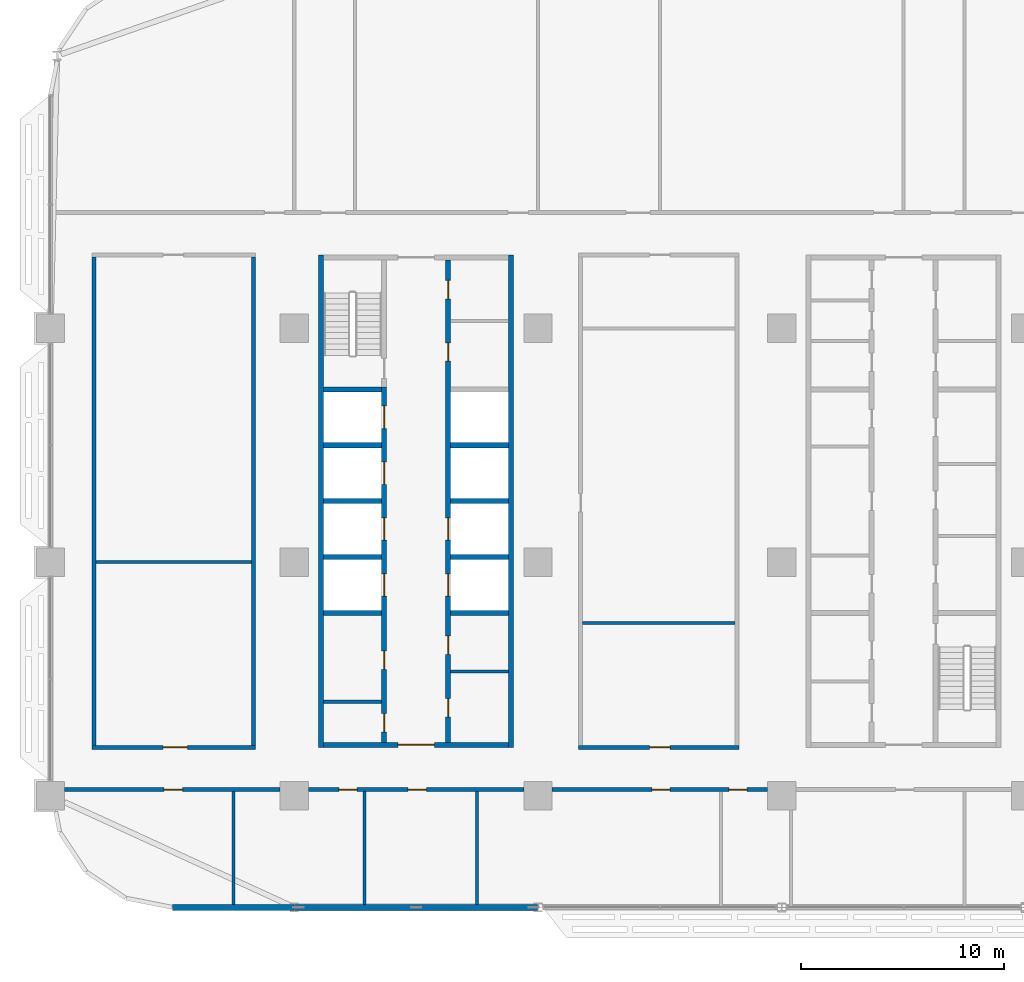
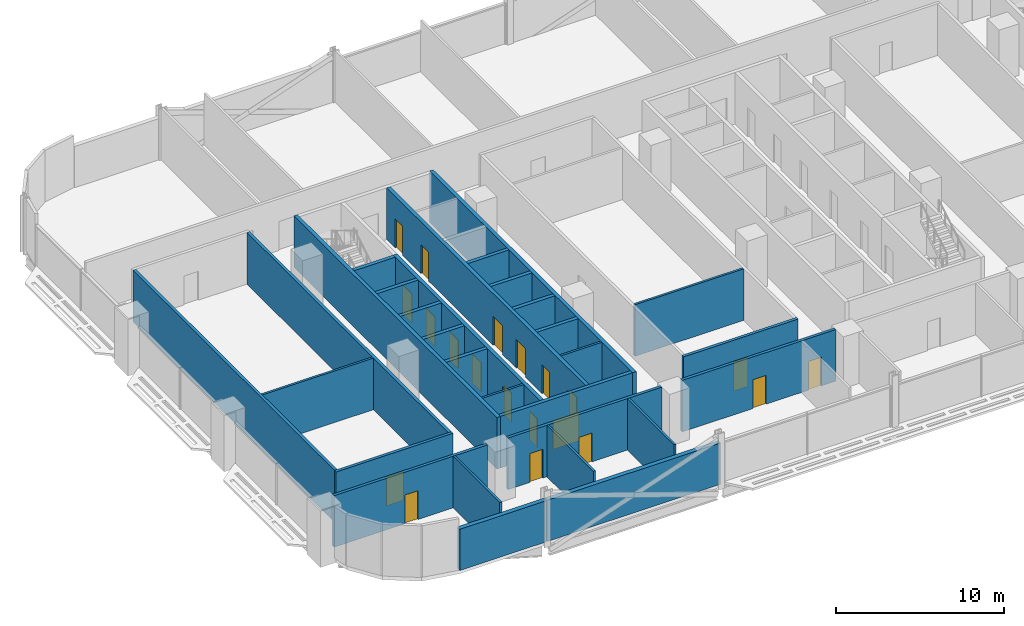
# One storey, part 12 of 29: 30 walls, 20 doors, 20 openings.
"""IFC4 building model written with IfcOpenShell, lengths in metres."""

from ifc_helpers import new_model, si_unit, direction, frame, frame_2d, origin, place, context, subcontext, project, spatial, rectangle, extrude, material, layer, layer_set, type_object, element, fill, save


model = new_model("IFC4")

# Units and contexts
model_context = context("Model", 3, precision=1e-05, world=origin(), true_north=direction((0.0, 1.0)))
body_context = subcontext(model_context, "Body", "Model", "MODEL_VIEW")
ifc_project = project(units=[si_unit("LENGTHUNIT", "METRE"), si_unit("AREAUNIT", "SQUARE_METRE"), si_unit("VOLUMEUNIT", "CUBIC_METRE"), si_unit("PLANEANGLEUNIT", "RADIAN"), si_unit("MASSUNIT", "GRAM", prefix="KILO")], contexts=[model_context])

# Site, building, storey
site_placement = place(None, origin())
site = spatial("IfcSite", under=ifc_project, at=site_placement, CompositionType="ELEMENT")
building_placement = place(site_placement, origin())
building = spatial("IfcBuilding", under=site, at=building_placement, Name="Mahtab Terrace Research Tower", CompositionType="ELEMENT")
storey_placement = place(building_placement, frame((0.0, 0.0, 88.89990234375)))
storey = spatial("IfcBuildingStorey", under=building, at=storey_placement, Name="L20", CompositionType="ELEMENT", Elevation=88.89990234375)

# Walls
ifc_material_1 = material(Name="Gypsum board partition")
ifc_layer_1 = layer(ifc_material_1, 0.14990234375)
ifc_layer_set_1 = layer_set([ifc_layer_1], Name="Core partition 150")
wall_type_1 = type_object("IfcWallType", Name="Core partition 150", PredefinedType="PARTITIONING", material=ifc_layer_set_1)
for number, where, z_axis, x_axis, name in (
    (1, (-28.550048828125, -6.875, 0.0), (0.0, 0.0, 1.0), (1.0, 0.0, 0.0), "Core wall A pWS-988"),
    (2, (-22.300048828125, -5.39501953125, 0.0), (0.0, 0.0, 1.0), (1.0, 0.0, 0.0), "Core wall A pES-840"),
):
    element("IfcWall", number, at=place(storey_placement, frame(where, z_axis=z_axis, x_axis=x_axis)), inside=storey, type_object=wall_type_1, Name=name, PredefinedType="PARTITIONING", context=body_context, shape_type="SweptSolid", body=[
        extrude(rectangle(XDim=2.85009765625, YDim=0.14990234375, at=frame_2d((1.425048828125, 0.0))), origin(), (0.0, 0.0, 1.0), 3.760009765625),
    ])
ifc_material_2 = material(Name="Concrete C70/85", Category="concrete")
ifc_layer_2 = layer(ifc_material_2, 0.25)
ifc_layer_set_2 = layer_set([ifc_layer_2], Name="Core wall 250")
wall_type_2 = type_object("IfcWallType", Name="Core wall 250", PredefinedType="SOLIDWALL", material=ifc_layer_set_2)
for number, where, z_axis, x_axis, name in (
    (3, (-28.675048828125, 15.125, 0.0), (0.0, 0.0, 1.0), (0.0, -1.0, 0.0), "Core wall A outerW"),
    (4, (-19.324951171875, -9.125, 0.0), (0.0, 0.0, 1.0), (0.0, 1.0, 0.0), "Core wall A outerE"),
):
    element("IfcWall", number, at=place(storey_placement, frame(where, z_axis=z_axis, x_axis=x_axis)), inside=storey, type_object=wall_type_2, Name=name, PredefinedType="SOLIDWALL", context=body_context, shape_type="SweptSolid", body=[
        extrude(rectangle(XDim=24.25, YDim=0.25, at=frame_2d((12.125, 0.0))), origin(), (0.0, 0.0, 1.0), 3.760009765625),
    ])

# Wall, opening, door
wall_1_placement = place(storey_placement, frame((-19.449951171875, -9.0, 0.0), z_axis=(0.0, 0.0, 1.0), x_axis=(-1.0, 0.0, 0.0)))
wall_1 = element("IfcWall", 5, at=wall_1_placement, inside=storey, type_object=wall_type_2, Name="Core wall A endS", PredefinedType="SOLIDWALL", context=body_context, shape_type="SweptSolid", body=[
    extrude(rectangle(XDim=9.10009765625, YDim=0.25, at=frame_2d((4.550048828125, 0.0))), origin(), (0.0, 0.0, 1.0), 3.760009765625),
])
opening_1_placement = place(wall_1_placement, frame((3.64990234375, 0.0, 0.0)))
opening_1 = element("IfcOpeningElement", 6, at=opening_1_placement, cuts=wall_1, Name="Opening A-S1", PredefinedType="OPENING", context=body_context, shape_type="SweptSolid", body=[
    extrude(rectangle(XDim=1.800048828125, YDim=2.10009765625, at=frame_2d((0.89990234375, 1.050048828125))), frame((0.0, 0.135009765625, 0.0), z_axis=(0.0, -1.0, 0.0), x_axis=(1.0, 0.0, 0.0)), (0.0, 0.0, 1.0), 0.27001953125),
])
ifc_material_3 = material(Name="Steel fire door", Category="steel")
door_type_1 = type_object("IfcDoorType", Name="Lobby double door 1800x2100 1 HR", OperationType="DOUBLE_DOOR_SINGLE_SWING", PredefinedType="DOOR", material=ifc_material_3)
door_1_placement = place(opening_1_placement, origin())
door_1 = element("IfcDoor", 7, at=door_1_placement, inside=storey, type_object=door_type_1, Name="Core entrance door A S", OperationType="DOUBLE_DOOR_SINGLE_SWING", OverallHeight=2.10009765625, OverallWidth=1.800048828125, PredefinedType="DOOR", context=body_context, shape_type="SweptSolid", body=[
    extrude(rectangle(XDim=1.800048828125, YDim=2.10009765625, at=frame_2d((0.89990234375, 1.050048828125))), frame((0.0, 0.02490234375, 0.0), z_axis=(0.0, -1.0, 0.0), x_axis=(1.0, 0.0, 0.0)), (0.0, 0.0, 1.0), 0.050048828125),
])
fill(opening_1, door_1)

# Wall, openings, doors
wall_2_placement = place(storey_placement, frame((-25.574951171875, -8.875, 0.0), z_axis=(0.0, 0.0, 1.0), x_axis=(0.0, 1.0, 0.0)))
wall_2 = element("IfcWall", 8, at=wall_2_placement, inside=storey, type_object=wall_type_2, Name="Core wall A innerWSL", PredefinedType="SOLIDWALL", context=body_context, shape_type="SweptSolid", body=[
    extrude(rectangle(XDim=17.5, YDim=0.25, at=frame_2d((8.75, 0.0))), origin(), (0.0, 0.0, 1.0), 3.760009765625),
])
opening_2_placement = place(wall_2_placement, frame((7.199951171875, 0.0, 0.0)))
opening_2 = element("IfcOpeningElement", 9, at=opening_2_placement, cuts=wall_2, Name="Opening LD01-L20", PredefinedType="OPENING", context=body_context, shape_type="SweptSolid", body=[
    extrude(rectangle(XDim=1.10009765625, YDim=2.10009765625, at=frame_2d((0.550048828125, 1.050048828125))), frame((0.0, 0.135009765625, 0.0), z_axis=(0.0, -1.0, 0.0), x_axis=(1.0, 0.0, 0.0)), (0.0, 0.0, 1.0), 0.27001953125),
])
opening_3_placement = place(wall_2_placement, frame((9.949951171875, 0.0, 0.0)))
opening_3 = element("IfcOpeningElement", 10, at=opening_3_placement, cuts=wall_2, Name="Opening LD02-L20", PredefinedType="OPENING", context=body_context, shape_type="SweptSolid", body=[
    extrude(rectangle(XDim=1.10009765625, YDim=2.10009765625, at=frame_2d((0.550048828125, 1.050048828125))), frame((0.0, 0.135009765625, 0.0), z_axis=(0.0, -1.0, 0.0), x_axis=(1.0, 0.0, 0.0)), (0.0, 0.0, 1.0), 0.27001953125),
])
opening_4_placement = place(wall_2_placement, frame((12.699951171875, 0.0, 0.0)))
opening_4 = element("IfcOpeningElement", 11, at=opening_4_placement, cuts=wall_2, Name="Opening LD03-L20", PredefinedType="OPENING", context=body_context, shape_type="SweptSolid", body=[
    extrude(rectangle(XDim=1.10009765625, YDim=2.10009765625, at=frame_2d((0.550048828125, 1.050048828125))), frame((0.0, 0.135009765625, 0.0), z_axis=(0.0, -1.0, 0.0), x_axis=(1.0, 0.0, 0.0)), (0.0, 0.0, 1.0), 0.27001953125),
])
opening_5_placement = place(wall_2_placement, frame((15.449951171875, 0.0, 0.0)))
opening_5 = element("IfcOpeningElement", 12, at=opening_5_placement, cuts=wall_2, Name="Opening LD04-L20", PredefinedType="OPENING", context=body_context, shape_type="SweptSolid", body=[
    extrude(rectangle(XDim=1.10009765625, YDim=2.10009765625, at=frame_2d((0.550048828125, 1.050048828125))), frame((0.0, 0.135009765625, 0.0), z_axis=(0.0, -1.0, 0.0), x_axis=(1.0, 0.0, 0.0)), (0.0, 0.0, 1.0), 0.27001953125),
])
opening_6_placement = place(wall_2_placement, frame((0.512451171875, 0.0, 0.0)))
opening_6 = element("IfcOpeningElement", 13, at=opening_6_placement, cuts=wall_2, Name="Opening A-R1", PredefinedType="OPENING", context=body_context, shape_type="SweptSolid", body=[
    extrude(rectangle(XDim=0.89990234375, YDim=2.10009765625, at=frame_2d((0.449951171875, 1.050048828125))), frame((0.0, 0.135009765625, 0.0), z_axis=(0.0, -1.0, 0.0), x_axis=(1.0, 0.0, 0.0)), (0.0, 0.0, 1.0), 0.27001953125),
])
opening_7_placement = place(wall_2_placement, frame((3.58740234375, 0.0, 0.0)))
opening_7 = element("IfcOpeningElement", 14, at=opening_7_placement, cuts=wall_2, Name="Opening A-R2", PredefinedType="OPENING", context=body_context, shape_type="SweptSolid", body=[
    extrude(rectangle(XDim=0.89990234375, YDim=2.10009765625, at=frame_2d((0.449951171875, 1.050048828125))), frame((0.0, 0.135009765625, 0.0), z_axis=(0.0, -1.0, 0.0), x_axis=(1.0, 0.0, 0.0)), (0.0, 0.0, 1.0), 0.27001953125),
])
ifc_material_4 = material(Name="Stainless steel AISI 304", Category="steel")
door_type_2 = type_object("IfcDoorType", Name="Landing door 1100x2100", OperationType="DOUBLE_DOOR_SLIDING", PredefinedType="DOOR", material=ifc_material_4)
door_2_placement = place(opening_2_placement, origin())
door_2 = element("IfcDoor", 15, at=door_2_placement, inside=storey, type_object=door_type_2, Name="Landing door LR1 L20", OperationType="DOUBLE_DOOR_SLIDING", OverallHeight=2.10009765625, OverallWidth=1.10009765625, PredefinedType="DOOR", context=body_context, shape_type="SweptSolid", body=[
    extrude(rectangle(XDim=1.10009765625, YDim=2.10009765625, at=frame_2d((0.550048828125, 1.050048828125))), frame((0.0, 0.02490234375, 0.0), z_axis=(0.0, -1.0, 0.0), x_axis=(1.0, 0.0, 0.0)), (0.0, 0.0, 1.0), 0.050048828125),
])
fill(opening_2, door_2)
door_3_placement = place(opening_3_placement, origin())
door_3 = element("IfcDoor", 16, at=door_3_placement, inside=storey, type_object=door_type_2, Name="Landing door LR2 L20", OperationType="DOUBLE_DOOR_SLIDING", OverallHeight=2.10009765625, OverallWidth=1.10009765625, PredefinedType="DOOR", context=body_context, shape_type="SweptSolid", body=[
    extrude(rectangle(XDim=1.10009765625, YDim=2.10009765625, at=frame_2d((0.550048828125, 1.050048828125))), frame((0.0, 0.02490234375, 0.0), z_axis=(0.0, -1.0, 0.0), x_axis=(1.0, 0.0, 0.0)), (0.0, 0.0, 1.0), 0.050048828125),
])
fill(opening_3, door_3)
door_4_placement = place(opening_4_placement, origin())
door_4 = element("IfcDoor", 17, at=door_4_placement, inside=storey, type_object=door_type_2, Name="Landing door LR3 L20", OperationType="DOUBLE_DOOR_SLIDING", OverallHeight=2.10009765625, OverallWidth=1.10009765625, PredefinedType="DOOR", context=body_context, shape_type="SweptSolid", body=[
    extrude(rectangle(XDim=1.10009765625, YDim=2.10009765625, at=frame_2d((0.550048828125, 1.050048828125))), frame((0.0, 0.02490234375, 0.0), z_axis=(0.0, -1.0, 0.0), x_axis=(1.0, 0.0, 0.0)), (0.0, 0.0, 1.0), 0.050048828125),
])
fill(opening_4, door_4)
door_5_placement = place(opening_5_placement, origin())
door_5 = element("IfcDoor", 18, at=door_5_placement, inside=storey, type_object=door_type_2, Name="Landing door LR4 L20", OperationType="DOUBLE_DOOR_SLIDING", OverallHeight=2.10009765625, OverallWidth=1.10009765625, PredefinedType="DOOR", context=body_context, shape_type="SweptSolid", body=[
    extrude(rectangle(XDim=1.10009765625, YDim=2.10009765625, at=frame_2d((0.550048828125, 1.050048828125))), frame((0.0, 0.02490234375, 0.0), z_axis=(0.0, -1.0, 0.0), x_axis=(1.0, 0.0, 0.0)), (0.0, 0.0, 1.0), 0.050048828125),
])
fill(opening_5, door_5)
door_type_3 = type_object("IfcDoorType", Name="Room door 900x2100 1 HR", OperationType="NOTDEFINED", PredefinedType="DOOR", material=ifc_material_3)
door_6_placement = place(opening_6_placement, origin())
door_6 = element("IfcDoor", 19, at=door_6_placement, inside=storey, type_object=door_type_3, Name="Accessible WC door", OperationType="SINGLE_SWING_LEFT", OverallHeight=2.10009765625, OverallWidth=0.89990234375, PredefinedType="DOOR", context=body_context, shape_type="SweptSolid", body=[
    extrude(rectangle(XDim=0.89990234375, YDim=2.10009765625, at=frame_2d((0.449951171875, 1.050048828125))), frame((0.0, 0.02490234375, 0.0), z_axis=(0.0, -1.0, 0.0), x_axis=(1.0, 0.0, 0.0)), (0.0, 0.0, 1.0), 0.050048828125),
])
fill(opening_6, door_6)
door_7_placement = place(opening_7_placement, origin())
door_7 = element("IfcDoor", 20, at=door_7_placement, inside=storey, type_object=door_type_3, Name="WC block door", OperationType="SINGLE_SWING_RIGHT", OverallHeight=2.10009765625, OverallWidth=0.89990234375, PredefinedType="DOOR", context=body_context, shape_type="SweptSolid", body=[
    extrude(rectangle(XDim=0.89990234375, YDim=2.10009765625, at=frame_2d((0.449951171875, 1.050048828125))), frame((0.0, 0.02490234375, 0.0), z_axis=(0.0, -1.0, 0.0), x_axis=(1.0, 0.0, 0.0)), (0.0, 0.0, 1.0), 0.050048828125),
])
fill(opening_7, door_7)

wall_3_placement = place(storey_placement, frame((-22.425048828125, 14.875, 0.0), z_axis=(0.0, 0.0, 1.0), x_axis=(0.0, -1.0, 0.0)))
wall_3 = element("IfcWall", 21, at=wall_3_placement, inside=storey, type_object=wall_type_2, Name="Core wall A innerESLN", PredefinedType="SOLIDWALL", context=body_context, shape_type="SweptSolid", body=[
    extrude(rectangle(XDim=23.75, YDim=0.25, at=frame_2d((11.875, 0.0))), origin(), (0.0, 0.0, 1.0), 3.760009765625),
])
opening_8_placement = place(wall_3_placement, frame((15.449951171875, 0.0, 0.0)))
opening_8 = element("IfcOpeningElement", 22, at=opening_8_placement, cuts=wall_3, Name="Opening LD05-L20", PredefinedType="OPENING", context=body_context, shape_type="SweptSolid", body=[
    extrude(rectangle(XDim=1.10009765625, YDim=2.10009765625, at=frame_2d((0.550048828125, 1.050048828125))), frame((0.0, 0.135009765625, 0.0), z_axis=(0.0, -1.0, 0.0), x_axis=(1.0, 0.0, 0.0)), (0.0, 0.0, 1.0), 0.27001953125),
])
opening_9_placement = place(wall_3_placement, frame((12.699951171875, 0.0, 0.0)))
opening_9 = element("IfcOpeningElement", 23, at=opening_9_placement, cuts=wall_3, Name="Opening LD06-L20", PredefinedType="OPENING", context=body_context, shape_type="SweptSolid", body=[
    extrude(rectangle(XDim=1.10009765625, YDim=2.10009765625, at=frame_2d((0.550048828125, 1.050048828125))), frame((0.0, 0.135009765625, 0.0), z_axis=(0.0, -1.0, 0.0), x_axis=(1.0, 0.0, 0.0)), (0.0, 0.0, 1.0), 0.27001953125),
])
opening_10_placement = place(wall_3_placement, frame((21.597412109375, 0.0, 0.0)))
opening_10 = element("IfcOpeningElement", 24, at=opening_10_placement, cuts=wall_3, Name="Opening A-R3", PredefinedType="OPENING", context=body_context, shape_type="SweptSolid", body=[
    extrude(rectangle(XDim=0.89990234375, YDim=2.10009765625, at=frame_2d((0.449951171875, 1.050048828125))), frame((0.0, 0.135009765625, 0.0), z_axis=(0.0, -1.0, 0.0), x_axis=(1.0, 0.0, 0.0)), (0.0, 0.0, 1.0), 0.27001953125),
])
opening_11_placement = place(wall_3_placement, frame((18.5224609375, 0.0, 0.0)))
opening_11 = element("IfcOpeningElement", 25, at=opening_11_placement, cuts=wall_3, Name="Opening A-R4", PredefinedType="OPENING", context=body_context, shape_type="SweptSolid", body=[
    extrude(rectangle(XDim=0.89990234375, YDim=2.10009765625, at=frame_2d((0.449951171875, 1.050048828125))), frame((0.0, 0.135009765625, 0.0), z_axis=(0.0, -1.0, 0.0), x_axis=(1.0, 0.0, 0.0)), (0.0, 0.0, 1.0), 0.27001953125),
])
opening_12_placement = place(wall_3_placement, frame((4.08740234375, 0.0, 0.0)))
opening_12 = element("IfcOpeningElement", 26, at=opening_12_placement, cuts=wall_3, Name="Opening A-R5", PredefinedType="OPENING", context=body_context, shape_type="SweptSolid", body=[
    extrude(rectangle(XDim=0.89990234375, YDim=2.10009765625, at=frame_2d((0.449951171875, 1.050048828125))), frame((0.0, 0.135009765625, 0.0), z_axis=(0.0, -1.0, 0.0), x_axis=(1.0, 0.0, 0.0)), (0.0, 0.0, 1.0), 0.27001953125),
])
opening_13_placement = place(wall_3_placement, frame((1.012451171875, 0.0, 0.0)))
opening_13 = element("IfcOpeningElement", 27, at=opening_13_placement, cuts=wall_3, Name="Opening A-R6", PredefinedType="OPENING", context=body_context, shape_type="SweptSolid", body=[
    extrude(rectangle(XDim=0.89990234375, YDim=2.10009765625, at=frame_2d((0.449951171875, 1.050048828125))), frame((0.0, 0.135009765625, 0.0), z_axis=(0.0, -1.0, 0.0), x_axis=(1.0, 0.0, 0.0)), (0.0, 0.0, 1.0), 0.27001953125),
])
door_8_placement = place(opening_8_placement, origin())
door_8 = element("IfcDoor", 28, at=door_8_placement, inside=storey, type_object=door_type_2, Name="Landing door LR5 L20", OperationType="DOUBLE_DOOR_SLIDING", OverallHeight=2.10009765625, OverallWidth=1.10009765625, PredefinedType="DOOR", context=body_context, shape_type="SweptSolid", body=[
    extrude(rectangle(XDim=1.10009765625, YDim=2.10009765625, at=frame_2d((0.550048828125, 1.050048828125))), frame((0.0, 0.02490234375, 0.0), z_axis=(0.0, -1.0, 0.0), x_axis=(1.0, 0.0, 0.0)), (0.0, 0.0, 1.0), 0.050048828125),
])
fill(opening_8, door_8)
door_9_placement = place(opening_9_placement, origin())
door_9 = element("IfcDoor", 29, at=door_9_placement, inside=storey, type_object=door_type_2, Name="Landing door LR6 L20", OperationType="DOUBLE_DOOR_SLIDING", OverallHeight=2.10009765625, OverallWidth=1.10009765625, PredefinedType="DOOR", context=body_context, shape_type="SweptSolid", body=[
    extrude(rectangle(XDim=1.10009765625, YDim=2.10009765625, at=frame_2d((0.550048828125, 1.050048828125))), frame((0.0, 0.02490234375, 0.0), z_axis=(0.0, -1.0, 0.0), x_axis=(1.0, 0.0, 0.0)), (0.0, 0.0, 1.0), 0.050048828125),
])
fill(opening_9, door_9)
door_10_placement = place(opening_10_placement, origin())
door_10 = element("IfcDoor", 30, at=door_10_placement, inside=storey, type_object=door_type_3, Name="Pantry door", OperationType="SINGLE_SWING_LEFT", OverallHeight=2.10009765625, OverallWidth=0.89990234375, PredefinedType="DOOR", context=body_context, shape_type="SweptSolid", body=[
    extrude(rectangle(XDim=0.89990234375, YDim=2.10009765625, at=frame_2d((0.449951171875, 1.050048828125))), frame((0.0, 0.02490234375, 0.0), z_axis=(0.0, -1.0, 0.0), x_axis=(1.0, 0.0, 0.0)), (0.0, 0.0, 1.0), 0.050048828125),
])
fill(opening_10, door_10)
door_11_placement = place(opening_11_placement, origin())
door_11 = element("IfcDoor", 31, at=door_11_placement, inside=storey, type_object=door_type_3, Name="Linen store door", OperationType="SINGLE_SWING_RIGHT", OverallHeight=2.10009765625, OverallWidth=0.89990234375, PredefinedType="DOOR", context=body_context, shape_type="SweptSolid", body=[
    extrude(rectangle(XDim=0.89990234375, YDim=2.10009765625, at=frame_2d((0.449951171875, 1.050048828125))), frame((0.0, 0.02490234375, 0.0), z_axis=(0.0, -1.0, 0.0), x_axis=(1.0, 0.0, 0.0)), (0.0, 0.0, 1.0), 0.050048828125),
])
fill(opening_11, door_11)
door_12_placement = place(opening_12_placement, origin())
door_12 = element("IfcDoor", 32, at=door_12_placement, inside=storey, type_object=door_type_3, Name="Housekeeping store door", OperationType="SINGLE_SWING_LEFT", OverallHeight=2.10009765625, OverallWidth=0.89990234375, PredefinedType="DOOR", context=body_context, shape_type="SweptSolid", body=[
    extrude(rectangle(XDim=0.89990234375, YDim=2.10009765625, at=frame_2d((0.449951171875, 1.050048828125))), frame((0.0, 0.02490234375, 0.0), z_axis=(0.0, -1.0, 0.0), x_axis=(1.0, 0.0, 0.0)), (0.0, 0.0, 1.0), 0.050048828125),
])
fill(opening_12, door_12)
door_13_placement = place(opening_13_placement, origin())
door_13 = element("IfcDoor", 33, at=door_13_placement, inside=storey, type_object=door_type_3, Name="Electrical riser room door", OperationType="SINGLE_SWING_RIGHT", OverallHeight=2.10009765625, OverallWidth=0.89990234375, PredefinedType="DOOR", context=body_context, shape_type="SweptSolid", body=[
    extrude(rectangle(XDim=0.89990234375, YDim=2.10009765625, at=frame_2d((0.449951171875, 1.050048828125))), frame((0.0, 0.02490234375, 0.0), z_axis=(0.0, -1.0, 0.0), x_axis=(1.0, 0.0, 0.0)), (0.0, 0.0, 1.0), 0.050048828125),
])
fill(opening_13, door_13)

# Walls
for number, where, z_axis, x_axis, name in (
    (34, (-28.550048828125, -2.5, 0.0), (0.0, 0.0, 1.0), (1.0, 0.0, 0.0), "Core wall A divW0"),
    (35, (-28.550048828125, 0.25, 0.0), (0.0, 0.0, 1.0), (1.0, 0.0, 0.0), "Core wall A divW1"),
    (36, (-28.550048828125, 3.0, 0.0), (0.0, 0.0, 1.0), (1.0, 0.0, 0.0), "Core wall A divW2"),
    (37, (-28.550048828125, 5.75, 0.0), (0.0, 0.0, 1.0), (1.0, 0.0, 0.0), "Core wall A divW3"),
    (38, (-28.550048828125, 8.5, 0.0), (0.0, 0.0, 1.0), (1.0, 0.0, 0.0), "Core wall A divW4"),
    (39, (-22.300048828125, -2.5, 0.0), (0.0, 0.0, 1.0), (1.0, 0.0, 0.0), "Core wall A divE0"),
    (40, (-22.300048828125, 0.25, 0.0), (0.0, 0.0, 1.0), (1.0, 0.0, 0.0), "Core wall A divE1"),
    (41, (-22.300048828125, 3.0, 0.0), (0.0, 0.0, 1.0), (1.0, 0.0, 0.0), "Core wall A divE2"),
    (42, (-22.300048828125, 5.75, 0.0), (0.0, 0.0, 1.0), (1.0, 0.0, 0.0), "Core wall A divE3"),
):
    element("IfcWall", number, at=place(storey_placement, frame(where, z_axis=z_axis, x_axis=x_axis)), inside=storey, type_object=wall_type_2, Name=name, PredefinedType="SOLIDWALL", context=body_context, shape_type="SweptSolid", body=[
        extrude(rectangle(XDim=2.85009765625, YDim=0.25, at=frame_2d((1.425048828125, 0.0))), origin(), (0.0, 0.0, 1.0), 3.760009765625),
    ])
ifc_material_5 = material(Name="Black aluminium cladding panel", Category="aluminium")
ifc_layer_3 = layer(ifc_material_5, 0.300048828125)
ifc_layer_set_3 = layer_set([ifc_layer_3], Name="Opaque facade wall 300")
wall_type_3 = type_object("IfcWallType", Name="Opaque facade wall 300", PredefinedType="NOTDEFINED", material=ifc_layer_set_3)
wall_4_placement = place(storey_placement, frame((-36.0, -17.0, 0.0), z_axis=(0.0, 0.0, 1.0), x_axis=(1.0, 0.0, 0.0)))
element("IfcWall", 43, at=wall_4_placement, inside=storey, type_object=wall_type_3, Name="Opaque facade wall L20 S23", PredefinedType="NOTDEFINED", context=body_context, shape_type="SweptSolid", body=[
    extrude(rectangle(XDim=5.97900390625, YDim=0.300048828125, at=frame_2d((2.989501953125, 0.0))), origin(), (0.0, 0.0, 1.0), 3.003173828125),
])
wall_5_placement = place(storey_placement, frame((-29.97900390625, -17.0, 0.0), z_axis=(0.0, 0.0, 1.0), x_axis=(1.0, 0.0, 0.0)))
element("IfcWall", 44, at=wall_5_placement, inside=storey, type_object=wall_type_3, Name="Opaque facade wall L20 S24", PredefinedType="NOTDEFINED", context=body_context, shape_type="SweptSolid", body=[
    extrude(rectangle(XDim=11.9580078125, YDim=0.300048828125, at=frame_2d((5.97900390625, 0.0))), origin(), (0.0, 0.0, 1.0), 3.003173828125),
])

# Wall, opening, door
ifc_material_6 = material(Name="Gypsum board corridor wall on steel studs", Category="steel")
ifc_layer_4 = layer(ifc_material_6, 0.199951171875)
ifc_layer_set_4 = layer_set([ifc_layer_4], Name="WALL CORRIDOR 200")
wall_type_4 = type_object("IfcWallType", Name="WALL CORRIDOR 200", PredefinedType="PARTITIONING", material=ifc_layer_set_4)
wall_6_placement = place(storey_placement, frame((-41.300048828125, -11.199951171875, 0.0), z_axis=(0.0, 0.0, 1.0), x_axis=(1.0, 0.0, 0.0)))
wall_6 = element("IfcWall", 45, at=wall_6_placement, inside=storey, type_object=wall_type_4, Name="L20-W001", PredefinedType="PARTITIONING", context=body_context, shape_type="SweptSolid", body=[
    extrude(rectangle(XDim=10.60009765625, YDim=0.199951171875, at=frame_2d((5.300048828125, 0.0))), origin(), (0.0, 0.0, 1.0), 3.760009765625),
])
opening_14_placement = place(wall_6_placement, frame((4.89990234375, 0.0, 0.0)))
opening_14 = element("IfcOpeningElement", 46, at=opening_14_placement, cuts=wall_6, Name="Opening L20-101", PredefinedType="OPENING", context=body_context, shape_type="SweptSolid", body=[
    extrude(rectangle(XDim=0.89990234375, YDim=2.10009765625, at=frame_2d((0.449951171875, 1.050048828125))), frame((0.0, 0.10986328125, 0.0), z_axis=(0.0, -1.0, 0.0), x_axis=(1.0, 0.0, 0.0)), (0.0, 0.0, 1.0), 0.219970703125),
])
ifc_material_7 = material(Name="Timber door leaf in steel frame", Category="steel")
door_type_4 = type_object("IfcDoorType", Name="DOOR 0900X2100 FD30S", OperationType="SINGLE_SWING_LEFT", PredefinedType="DOOR", material=ifc_material_7)
door_14_placement = place(opening_14_placement, origin())
door_14 = element("IfcDoor", 47, at=door_14_placement, inside=storey, type_object=door_type_4, Name="Door L20-101", OperationType="SINGLE_SWING_LEFT", OverallHeight=2.10009765625, OverallWidth=0.89990234375, PredefinedType="DOOR", context=body_context, shape_type="SweptSolid", body=[
    extrude(rectangle(XDim=0.89990234375, YDim=2.10009765625, at=frame_2d((0.449951171875, 1.050048828125))), frame((0.0, 0.02490234375, 0.0), z_axis=(0.0, -1.0, 0.0), x_axis=(1.0, 0.0, 0.0)), (0.0, 0.0, 1.0), 0.050048828125),
])
fill(opening_14, door_14)

# Wall, openings, doors
wall_7_placement = place(storey_placement, frame((-29.300048828125, -11.199951171875, 0.0), z_axis=(0.0, 0.0, 1.0), x_axis=(1.0, 0.0, 0.0)))
wall_7 = element("IfcWall", 48, at=wall_7_placement, inside=storey, type_object=wall_type_4, Name="L20-W002", PredefinedType="PARTITIONING", context=body_context, shape_type="SweptSolid", body=[
    extrude(rectangle(XDim=10.60009765625, YDim=0.199951171875, at=frame_2d((5.300048828125, 0.0))), origin(), (0.0, 0.0, 1.0), 3.760009765625),
])
opening_15_placement = place(wall_7_placement, frame((1.5, 0.0, 0.0)))
opening_15 = element("IfcOpeningElement", 49, at=opening_15_placement, cuts=wall_7, Name="Opening L20-102", PredefinedType="OPENING", context=body_context, shape_type="SweptSolid", body=[
    extrude(rectangle(XDim=0.89990234375, YDim=2.10009765625, at=frame_2d((0.449951171875, 1.050048828125))), frame((0.0, 0.10986328125, 0.0), z_axis=(0.0, -1.0, 0.0), x_axis=(1.0, 0.0, 0.0)), (0.0, 0.0, 1.0), 0.219970703125),
])
opening_16_placement = place(wall_7_placement, frame((4.89990234375, 0.0, 0.0)))
opening_16 = element("IfcOpeningElement", 50, at=opening_16_placement, cuts=wall_7, Name="Opening L20-103", PredefinedType="OPENING", context=body_context, shape_type="SweptSolid", body=[
    extrude(rectangle(XDim=0.89990234375, YDim=2.10009765625, at=frame_2d((0.449951171875, 1.050048828125))), frame((0.0, 0.10986328125, 0.0), z_axis=(0.0, -1.0, 0.0), x_axis=(1.0, 0.0, 0.0)), (0.0, 0.0, 1.0), 0.219970703125),
])
door_15_placement = place(opening_15_placement, origin())
door_15 = element("IfcDoor", 51, at=door_15_placement, inside=storey, type_object=door_type_4, Name="Door L20-102", OperationType="SINGLE_SWING_RIGHT", OverallHeight=2.10009765625, OverallWidth=0.89990234375, PredefinedType="DOOR", context=body_context, shape_type="SweptSolid", body=[
    extrude(rectangle(XDim=0.89990234375, YDim=2.10009765625, at=frame_2d((0.449951171875, 1.050048828125))), frame((0.0, 0.02490234375, 0.0), z_axis=(0.0, -1.0, 0.0), x_axis=(1.0, 0.0, 0.0)), (0.0, 0.0, 1.0), 0.050048828125),
])
fill(opening_15, door_15)
door_16_placement = place(opening_16_placement, origin())
door_16 = element("IfcDoor", 52, at=door_16_placement, inside=storey, type_object=door_type_4, Name="Door L20-103", OperationType="SINGLE_SWING_LEFT", OverallHeight=2.10009765625, OverallWidth=0.89990234375, PredefinedType="DOOR", context=body_context, shape_type="SweptSolid", body=[
    extrude(rectangle(XDim=0.89990234375, YDim=2.10009765625, at=frame_2d((0.449951171875, 1.050048828125))), frame((0.0, 0.02490234375, 0.0), z_axis=(0.0, -1.0, 0.0), x_axis=(1.0, 0.0, 0.0)), (0.0, 0.0, 1.0), 0.050048828125),
])
fill(opening_16, door_16)

wall_8_placement = place(storey_placement, frame((-17.300048828125, -11.199951171875, 0.0), z_axis=(0.0, 0.0, 1.0), x_axis=(1.0, 0.0, 0.0)))
wall_8 = element("IfcWall", 53, at=wall_8_placement, inside=storey, type_object=wall_type_4, Name="L20-W003", PredefinedType="PARTITIONING", context=body_context, shape_type="SweptSolid", body=[
    extrude(rectangle(XDim=10.60009765625, YDim=0.199951171875, at=frame_2d((5.300048828125, 0.0))), origin(), (0.0, 0.0, 1.0), 3.760009765625),
])
opening_17_placement = place(wall_8_placement, frame((4.89990234375, 0.0, 0.0)))
opening_17 = element("IfcOpeningElement", 54, at=opening_17_placement, cuts=wall_8, Name="Opening L20-104", PredefinedType="OPENING", context=body_context, shape_type="SweptSolid", body=[
    extrude(rectangle(XDim=0.89990234375, YDim=2.10009765625, at=frame_2d((0.449951171875, 1.050048828125))), frame((0.0, 0.10986328125, 0.0), z_axis=(0.0, -1.0, 0.0), x_axis=(1.0, 0.0, 0.0)), (0.0, 0.0, 1.0), 0.219970703125),
])
opening_18_placement = place(wall_8_placement, frame((8.699951171875, 0.0, 0.0)))
opening_18 = element("IfcOpeningElement", 55, at=opening_18_placement, cuts=wall_8, Name="Opening L20-105", PredefinedType="OPENING", context=body_context, shape_type="SweptSolid", body=[
    extrude(rectangle(XDim=0.89990234375, YDim=2.10009765625, at=frame_2d((0.449951171875, 1.050048828125))), frame((0.0, 0.10986328125, 0.0), z_axis=(0.0, -1.0, 0.0), x_axis=(1.0, 0.0, 0.0)), (0.0, 0.0, 1.0), 0.219970703125),
])
door_17_placement = place(opening_17_placement, origin())
door_17 = element("IfcDoor", 56, at=door_17_placement, inside=storey, type_object=door_type_4, Name="Door L20-104", OperationType="SINGLE_SWING_LEFT", OverallHeight=2.10009765625, OverallWidth=0.89990234375, PredefinedType="DOOR", context=body_context, shape_type="SweptSolid", body=[
    extrude(rectangle(XDim=0.89990234375, YDim=2.10009765625, at=frame_2d((0.449951171875, 1.050048828125))), frame((0.0, 0.02490234375, 0.0), z_axis=(0.0, -1.0, 0.0), x_axis=(1.0, 0.0, 0.0)), (0.0, 0.0, 1.0), 0.050048828125),
])
fill(opening_17, door_17)
door_18_placement = place(opening_18_placement, origin())
door_18 = element("IfcDoor", 57, at=door_18_placement, inside=storey, type_object=door_type_4, Name="Door L20-105", OperationType="SINGLE_SWING_LEFT", OverallHeight=2.10009765625, OverallWidth=0.89990234375, PredefinedType="DOOR", context=body_context, shape_type="SweptSolid", body=[
    extrude(rectangle(XDim=0.89990234375, YDim=2.10009765625, at=frame_2d((0.449951171875, 1.050048828125))), frame((0.0, 0.02490234375, 0.0), z_axis=(0.0, -1.0, 0.0), x_axis=(1.0, 0.0, 0.0)), (0.0, 0.0, 1.0), 0.050048828125),
])
fill(opening_18, door_18)

# Wall, opening, door
wall_9_placement = place(storey_placement, frame((-39.949951171875, -9.125, 0.0), z_axis=(0.0, 0.0, 1.0), x_axis=(1.0, 0.0, 0.0)))
wall_9 = element("IfcWall", 58, at=wall_9_placement, inside=storey, type_object=wall_type_4, Name="L20-W009", PredefinedType="PARTITIONING", context=body_context, shape_type="SweptSolid", body=[
    extrude(rectangle(XDim=8.050048828125, YDim=0.199951171875, at=frame_2d((4.02490234375, 0.0))), origin(), (0.0, 0.0, 1.0), 3.760009765625),
])
opening_19_placement = place(wall_9_placement, frame((3.5, 0.0, 0.0)))
opening_19 = element("IfcOpeningElement", 59, at=opening_19_placement, cuts=wall_9, Name="Opening L20-117", PredefinedType="OPENING", context=body_context, shape_type="SweptSolid", body=[
    extrude(rectangle(XDim=1.199951171875, YDim=2.10009765625, at=frame_2d((0.60009765625, 1.050048828125))), frame((0.0, 0.10986328125, 0.0), z_axis=(0.0, -1.0, 0.0), x_axis=(1.0, 0.0, 0.0)), (0.0, 0.0, 1.0), 0.219970703125),
])
door_type_5 = type_object("IfcDoorType", Name="DOOR 1200X2100 FD30S", OperationType="SINGLE_SWING_LEFT", PredefinedType="DOOR", material=ifc_material_7)
door_19_placement = place(opening_19_placement, origin())
door_19 = element("IfcDoor", 60, at=door_19_placement, inside=storey, type_object=door_type_5, Name="Door L20-117", OperationType="SINGLE_SWING_RIGHT", OverallHeight=2.10009765625, OverallWidth=1.199951171875, PredefinedType="DOOR", context=body_context, shape_type="SweptSolid", body=[
    extrude(rectangle(XDim=1.199951171875, YDim=2.10009765625, at=frame_2d((0.60009765625, 1.050048828125))), frame((0.0, 0.02490234375, 0.0), z_axis=(0.0, -1.0, 0.0), x_axis=(1.0, 0.0, 0.0)), (0.0, 0.0, 1.0), 0.050048828125),
])
fill(opening_19, door_19)

wall_10_placement = place(storey_placement, frame((-16.0, -9.125, 0.0), z_axis=(0.0, 0.0, 1.0), x_axis=(1.0, 0.0, 0.0)))
wall_10 = element("IfcWall", 61, at=wall_10_placement, inside=storey, type_object=wall_type_4, Name="L20-W010", PredefinedType="PARTITIONING", context=body_context, shape_type="SweptSolid", body=[
    extrude(rectangle(XDim=7.89990234375, YDim=0.199951171875, at=frame_2d((3.949951171875, 0.0))), origin(), (0.0, 0.0, 1.0), 3.760009765625),
])
opening_20_placement = place(wall_10_placement, frame((3.5, 0.0, 0.0)))
opening_20 = element("IfcOpeningElement", 62, at=opening_20_placement, cuts=wall_10, Name="Opening L20-114", PredefinedType="OPENING", context=body_context, shape_type="SweptSolid", body=[
    extrude(rectangle(XDim=1.0, YDim=2.10009765625, at=frame_2d((0.5, 1.050048828125))), frame((0.0, 0.10986328125, 0.0), z_axis=(0.0, -1.0, 0.0), x_axis=(1.0, 0.0, 0.0)), (0.0, 0.0, 1.0), 0.219970703125),
])
door_type_6 = type_object("IfcDoorType", Name="DOOR 1000X2100 FD30S", OperationType="SINGLE_SWING_LEFT", PredefinedType="DOOR", material=ifc_material_7)
door_20_placement = place(opening_20_placement, origin())
door_20 = element("IfcDoor", 63, at=door_20_placement, inside=storey, type_object=door_type_6, Name="Door L20-114", OperationType="SINGLE_SWING_RIGHT", OverallHeight=2.10009765625, OverallWidth=1.0, PredefinedType="DOOR", context=body_context, shape_type="SweptSolid", body=[
    extrude(rectangle(XDim=1.0, YDim=2.10009765625, at=frame_2d((0.5, 1.050048828125))), frame((0.0, 0.02490234375, 0.0), z_axis=(0.0, -1.0, 0.0), x_axis=(1.0, 0.0, 0.0)), (0.0, 0.0, 1.0), 0.050048828125),
])
fill(opening_20, door_20)

# Walls
for number, where, z_axis, x_axis, name in (
    (64, (-39.85009765625, -9.02490234375, 0.0), (0.0, 0.0, 1.0), (0.0, 1.0, 0.0), "L20-W025"),
    (65, (-32.0, -9.02490234375, 0.0), (0.0, 0.0, 1.0), (0.0, 1.0, 0.0), "L20-W027"),
):
    element("IfcWall", number, at=place(storey_placement, frame(where, z_axis=z_axis, x_axis=x_axis)), inside=storey, type_object=wall_type_4, Name=name, PredefinedType="PARTITIONING", context=body_context, shape_type="SweptSolid", body=[
        extrude(rectangle(XDim=24.0498046875, YDim=0.199951171875, at=frame_2d((12.02490234375, 0.0))), origin(), (0.0, 0.0, 1.0), 3.760009765625),
    ])
ifc_material_8 = material(Name="Gypsum board partition on steel studs", Category="steel")
ifc_layer_5 = layer(ifc_material_8, 0.14990234375)
ifc_layer_set_5 = layer_set([ifc_layer_5], Name="WALL PARTITION 150")
wall_type_5 = type_object("IfcWallType", Name="WALL PARTITION 150", PredefinedType="PARTITIONING", material=ifc_layer_set_5)
wall_11_placement = place(storey_placement, frame((-15.800048828125, -3.0, 0.0), z_axis=(0.0, 0.0, 1.0), x_axis=(1.0, 0.0, 0.0)))
element("IfcWall", 66, at=wall_11_placement, inside=storey, type_object=wall_type_5, Name="L20-W013", PredefinedType="PARTITIONING", context=body_context, shape_type="SweptSolid", body=[
    extrude(rectangle(XDim=7.5, YDim=0.14990234375, at=frame_2d((3.75, 0.0))), origin(), (0.0, 0.0, 1.0), 3.760009765625),
])
wall_12_placement = place(storey_placement, frame((-39.75, 0.0, 0.0), z_axis=(0.0, 0.0, 1.0), x_axis=(1.0, 0.0, 0.0)))
element("IfcWall", 67, at=wall_12_placement, inside=storey, type_object=wall_type_5, Name="L20-W015", PredefinedType="PARTITIONING", context=body_context, shape_type="SweptSolid", body=[
    extrude(rectangle(XDim=7.64990234375, YDim=0.14990234375, at=frame_2d((3.824951171875, 0.0))), origin(), (0.0, 0.0, 1.0), 3.760009765625),
])
for number, where, z_axis, x_axis, name in (
    (68, (-33.0, -16.85009765625, 0.0), (0.0, 0.0, 1.0), (0.0, 1.0, 0.0), "L20-W026"),
    (69, (-26.550048828125, -16.85009765625, 0.0), (0.0, 0.0, 1.0), (0.0, 1.0, 0.0), "L20-W030"),
    (70, (-21.0, -16.85009765625, 0.0), (0.0, 0.0, 1.0), (0.0, 1.0, 0.0), "L20-W031"),
):
    element("IfcWall", number, at=place(storey_placement, frame(where, z_axis=z_axis, x_axis=x_axis)), inside=storey, type_object=wall_type_5, Name=name, PredefinedType="PARTITIONING", context=body_context, shape_type="SweptSolid", body=[
        extrude(rectangle(XDim=5.550048828125, YDim=0.14990234375, at=frame_2d((2.77490234375, 0.0))), origin(), (0.0, 0.0, 1.0), 3.760009765625),
    ])

save(model, "model.ifc")
